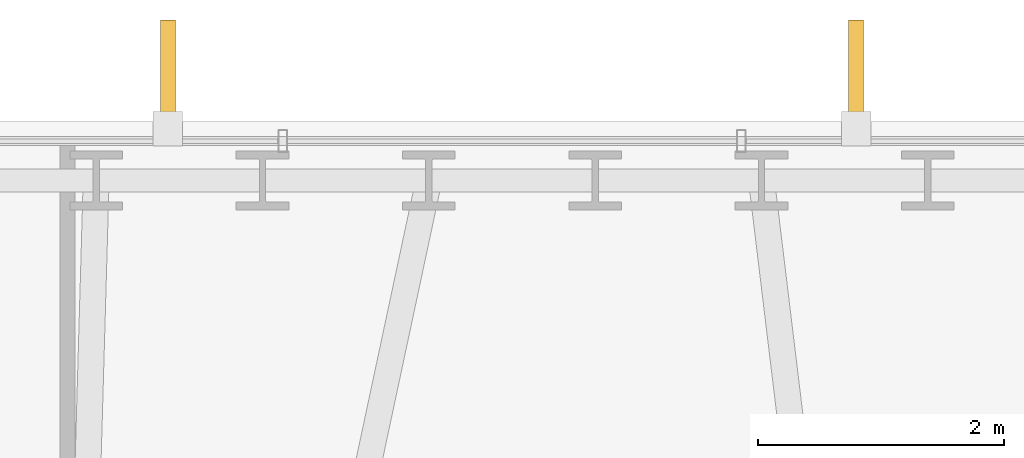
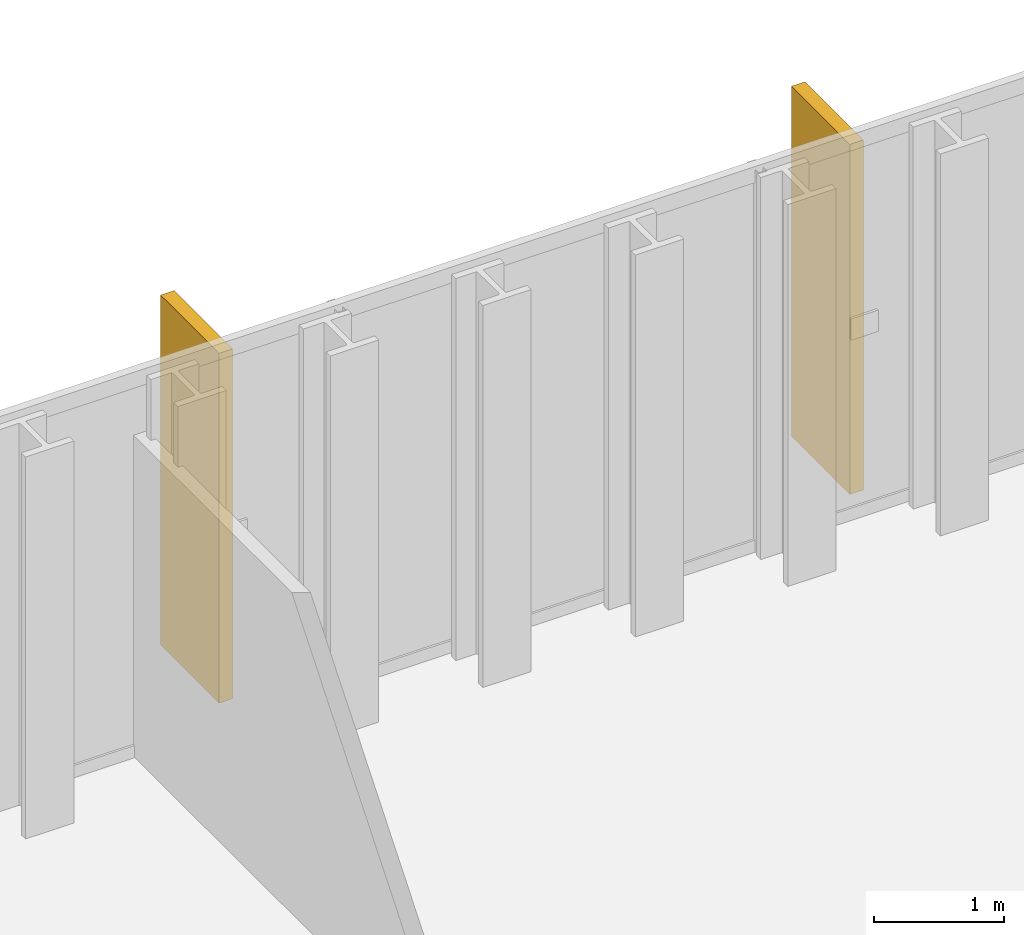
# One storey, part 33 of 33: 2 shading devices.
"""IFC4 building model written with IfcOpenShell, lengths in metres."""

from ifc_helpers import new_model, si_unit, direction, frame, origin, origin_2d, place, context, subcontext, project, spatial, rectangle, extrude, material, type_object, element, save


model = new_model("IFC4")

# Units and contexts
model_context = context("Model", 3, precision=1e-05, world=origin(), true_north=direction((0.0, 1.0)))
body_context = subcontext(model_context, "Body", "Model", "MODEL_VIEW")
ifc_project = project(units=[si_unit("LENGTHUNIT", "METRE"), si_unit("AREAUNIT", "SQUARE_METRE"), si_unit("VOLUMEUNIT", "CUBIC_METRE"), si_unit("PLANEANGLEUNIT", "RADIAN"), si_unit("MASSUNIT", "GRAM", prefix="KILO")], contexts=[model_context])

# Site, building, storey
site_placement = place(None, origin())
site = spatial("IfcSite", under=ifc_project, at=site_placement, CompositionType="ELEMENT")
building_placement = place(site_placement, origin())
building = spatial("IfcBuilding", under=site, at=building_placement, Name="Ndaravel Arena Tower", CompositionType="ELEMENT")
storey_placement = place(building_placement, frame((0.0, 0.0, 153.60009765625)))
storey = spatial("IfcBuildingStorey", under=building, at=storey_placement, Name="L36", CompositionType="ELEMENT", Elevation=153.60009765625)

# Shading devices
ifc_material = material(Name="Masonry", Category="masonry")
shading_device_type = type_object("IfcShadingDeviceType", Name="SHD-MAZERAS-FIN", PredefinedType="SHUTTER", material=ifc_material)
for number, where, z_axis, x_axis, name in (
    (1, (44.7958984375, 46.687744140625, 0.14990234375), (0.0, 0.0, 1.0), (0.0, 1.0, 0.0), "L36 Mazeras Stone Solar Fin E4.1"),
    (2, (39.2041015625, 46.687744140625, 0.14990234375), (0.0, 0.0, 1.0), (0.0, 1.0, 0.0), "L36 Mazeras Stone Solar Fin E4.2"),
):
    element("IfcShadingDevice", number, at=place(storey_placement, frame(where, z_axis=z_axis, x_axis=x_axis)), inside=storey, type_object=shading_device_type, Name=name, PredefinedType="SHUTTER", context=body_context, shape_type="SweptSolid", body=[
        extrude(rectangle(XDim=0.89990234375, YDim=0.1201171875, at=origin_2d()), origin(), (0.0, 0.0, 1.0), 3.280029296875),
    ])

save(model, "model.ifc")
